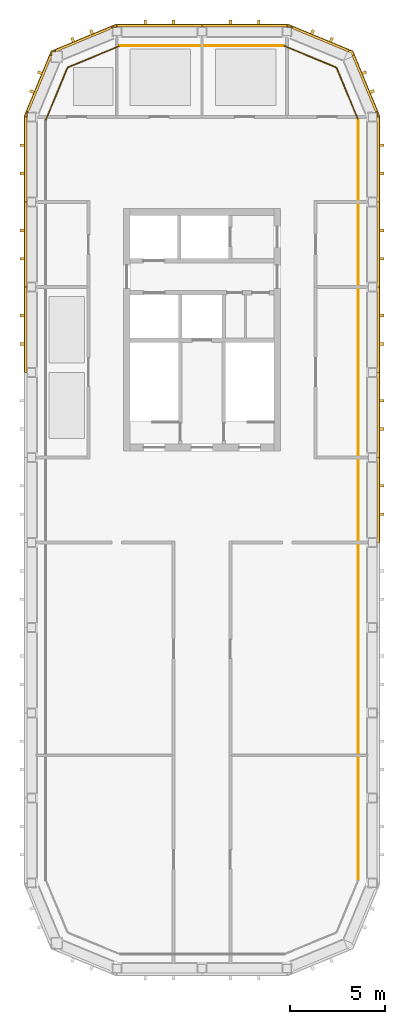
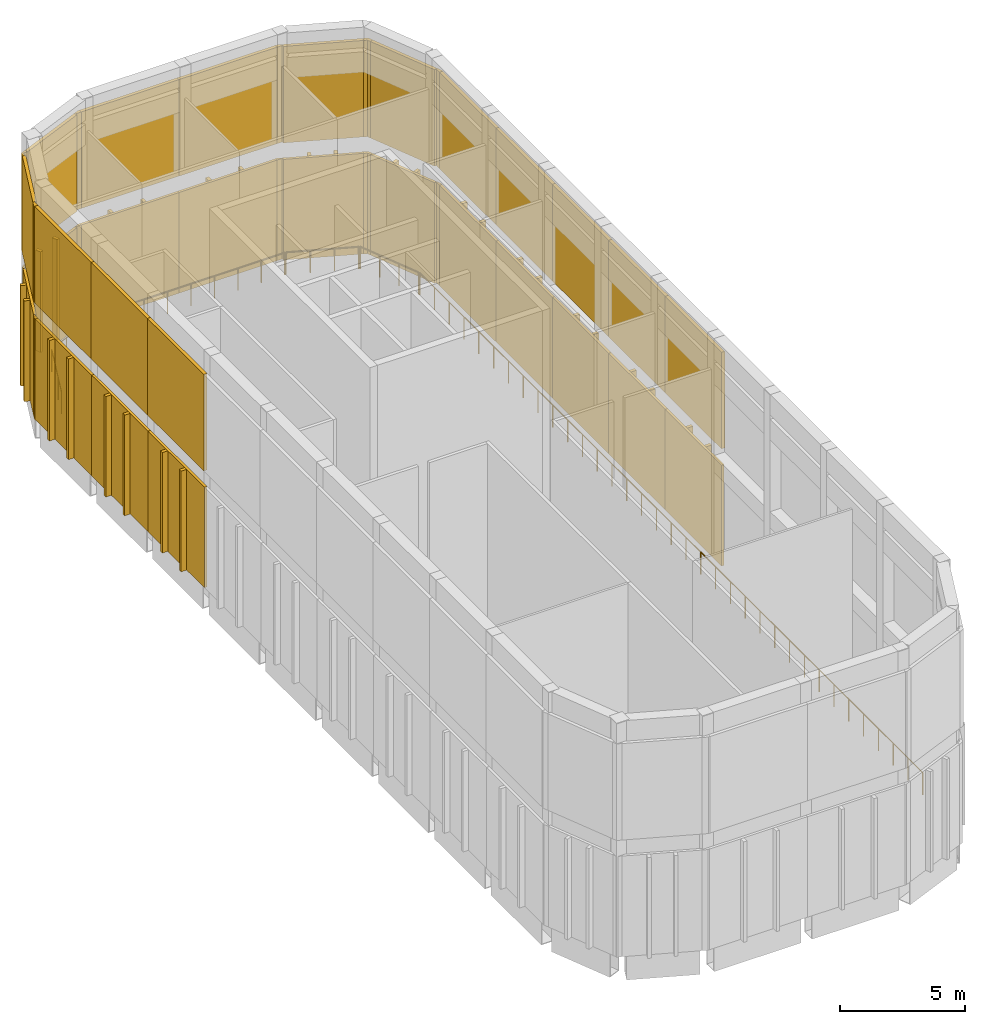
# One storey, part 6 of 7: 68 shading devices, 6 railings.
"""IFC4 building model written with IfcOpenShell, lengths in metres."""

from ifc_helpers import new_model, si_unit, direction, frame, origin, origin_2d, place, context, subcontext, project, spatial, polyline, rectangle, circle, outline, extrude, material, type_object, element, save


model = new_model("IFC4")

# Units and contexts
model_context = context("Model", 3, precision=1e-05, world=origin(), true_north=direction((0.0, 1.0)))
body_context = subcontext(model_context, "Body", "Model", "MODEL_VIEW")
ifc_project = project(units=[si_unit("LENGTHUNIT", "METRE"), si_unit("AREAUNIT", "SQUARE_METRE"), si_unit("VOLUMEUNIT", "CUBIC_METRE"), si_unit("PLANEANGLEUNIT", "RADIAN"), si_unit("MASSUNIT", "GRAM", prefix="KILO")], contexts=[model_context])

# Site, building, storey
site_placement = place(None, origin())
site = spatial("IfcSite", under=ifc_project, at=site_placement, CompositionType="ELEMENT")
building_placement = place(site_placement, origin())
building = spatial("IfcBuilding", under=site, at=building_placement, Name="Girih Gate Residences", CompositionType="ELEMENT")
storey_placement = place(building_placement, frame((0.0, 0.0, 247.094970703125)))
storey = spatial("IfcBuildingStorey", under=building, at=storey_placement, Name="L67", CompositionType="ELEMENT", Elevation=247.094970703125)

# Railings
ifc_material_1 = material(Name="Stainless steel railing", Category="steel")
railing_type = type_object("IfcRailingType", Name="Crown deck guard 1100", PredefinedType="GUARDRAIL", material=ifc_material_1)
railing_1_placement = place(storey_placement, frame((17.25, 44.850830078125, 0.0)))
element("IfcRailing", 1, at=railing_1_placement, inside=storey, type_object=railing_type, Name="Crown deck guard L67 1.1.1", PredefinedType="GUARDRAIL", context=body_context, shape_type="SweptSolid", body=[
    extrude(circle(Radius=0.02490234375, at=origin_2d()), frame((0.0, 0.0, 1.0751953125), z_axis=(0.0, -1.0, 0.0), x_axis=(1.0, 0.0, 0.0)), (0.0, 0.0, 1.0), 40.1416015625),
    extrude(circle(Radius=0.02490234375, at=origin_2d()), origin(), (0.0, 0.0, 1.0), 1.050048828125),
    extrude(circle(Radius=0.02490234375, at=origin_2d()), frame((0.0, -1.1806640625, 0.0)), (0.0, 0.0, 1.0), 1.050048828125),
    extrude(circle(Radius=0.02490234375, at=origin_2d()), frame((0.0, -2.361328125, 0.0)), (0.0, 0.0, 1.0), 1.050048828125),
    extrude(circle(Radius=0.02490234375, at=origin_2d()), frame((0.0, -3.5419921875, 0.0)), (0.0, 0.0, 1.0), 1.050048828125),
    extrude(circle(Radius=0.02490234375, at=origin_2d()), frame((0.0, -4.72265625, 0.0)), (0.0, 0.0, 1.0), 1.050048828125),
    extrude(circle(Radius=0.02490234375, at=origin_2d()), frame((0.0, -5.903076171875, 0.0)), (0.0, 0.0, 1.0), 1.050048828125),
    extrude(circle(Radius=0.02490234375, at=origin_2d()), frame((0.0, -7.083740234375, 0.0)), (0.0, 0.0, 1.0), 1.050048828125),
    extrude(circle(Radius=0.02490234375, at=origin_2d()), frame((0.0, -8.264404296875, 0.0)), (0.0, 0.0, 1.0), 1.050048828125),
    extrude(circle(Radius=0.02490234375, at=origin_2d()), frame((0.0, -9.445068359375, 0.0)), (0.0, 0.0, 1.0), 1.050048828125),
    extrude(circle(Radius=0.02490234375, at=origin_2d()), frame((0.0, -10.625732421875, 0.0)), (0.0, 0.0, 1.0), 1.050048828125),
    extrude(circle(Radius=0.02490234375, at=origin_2d()), frame((0.0, -11.806396484375, 0.0)), (0.0, 0.0, 1.0), 1.050048828125),
    extrude(circle(Radius=0.02490234375, at=origin_2d()), frame((0.0, -12.987060546875, 0.0)), (0.0, 0.0, 1.0), 1.050048828125),
    extrude(circle(Radius=0.02490234375, at=origin_2d()), frame((0.0, -14.167724609375, 0.0)), (0.0, 0.0, 1.0), 1.050048828125),
    extrude(circle(Radius=0.02490234375, at=origin_2d()), frame((0.0, -15.34814453125, 0.0)), (0.0, 0.0, 1.0), 1.050048828125),
    extrude(circle(Radius=0.02490234375, at=origin_2d()), frame((0.0, -16.52880859375, 0.0)), (0.0, 0.0, 1.0), 1.050048828125),
    extrude(circle(Radius=0.02490234375, at=origin_2d()), frame((0.0, -17.70947265625, 0.0)), (0.0, 0.0, 1.0), 1.050048828125),
    extrude(circle(Radius=0.02490234375, at=origin_2d()), frame((0.0, -18.89013671875, 0.0)), (0.0, 0.0, 1.0), 1.050048828125),
    extrude(circle(Radius=0.02490234375, at=origin_2d()), frame((0.0, -20.07080078125, 0.0)), (0.0, 0.0, 1.0), 1.050048828125),
    extrude(circle(Radius=0.02490234375, at=origin_2d()), frame((0.0, -21.25146484375, 0.0)), (0.0, 0.0, 1.0), 1.050048828125),
    extrude(circle(Radius=0.02490234375, at=origin_2d()), frame((0.0, -22.43212890625, 0.0)), (0.0, 0.0, 1.0), 1.050048828125),
    extrude(circle(Radius=0.02490234375, at=origin_2d()), frame((0.0, -23.61279296875, 0.0)), (0.0, 0.0, 1.0), 1.050048828125),
    extrude(circle(Radius=0.02490234375, at=origin_2d()), frame((0.0, -24.79345703125, 0.0)), (0.0, 0.0, 1.0), 1.050048828125),
    extrude(circle(Radius=0.02490234375, at=origin_2d()), frame((0.0, -25.973876953125, 0.0)), (0.0, 0.0, 1.0), 1.050048828125),
    extrude(circle(Radius=0.02490234375, at=origin_2d()), frame((0.0, -27.154541015625, 0.0)), (0.0, 0.0, 1.0), 1.050048828125),
    extrude(circle(Radius=0.02490234375, at=origin_2d()), frame((0.0, -28.335205078125, 0.0)), (0.0, 0.0, 1.0), 1.050048828125),
    extrude(circle(Radius=0.02490234375, at=origin_2d()), frame((0.0, -29.515869140625, 0.0)), (0.0, 0.0, 1.0), 1.050048828125),
    extrude(circle(Radius=0.02490234375, at=origin_2d()), frame((0.0, -30.696533203125, 0.0)), (0.0, 0.0, 1.0), 1.050048828125),
    extrude(circle(Radius=0.02490234375, at=origin_2d()), frame((0.0, -31.877197265625, 0.0)), (0.0, 0.0, 1.0), 1.050048828125),
    extrude(circle(Radius=0.02490234375, at=origin_2d()), frame((0.0, -33.057861328125, 0.0)), (0.0, 0.0, 1.0), 1.050048828125),
    extrude(circle(Radius=0.02490234375, at=origin_2d()), frame((0.0, -34.238525390625, 0.0)), (0.0, 0.0, 1.0), 1.050048828125),
    extrude(circle(Radius=0.02490234375, at=origin_2d()), frame((0.0, -35.4189453125, 0.0)), (0.0, 0.0, 1.0), 1.050048828125),
    extrude(circle(Radius=0.02490234375, at=origin_2d()), frame((0.0, -36.599609375, 0.0)), (0.0, 0.0, 1.0), 1.050048828125),
    extrude(circle(Radius=0.02490234375, at=origin_2d()), frame((0.0, -37.7802734375, 0.0)), (0.0, 0.0, 1.0), 1.050048828125),
    extrude(circle(Radius=0.02490234375, at=origin_2d()), frame((0.0, -38.9609375, 0.0)), (0.0, 0.0, 1.0), 1.050048828125),
    extrude(circle(Radius=0.02490234375, at=origin_2d()), frame((0.0, -40.1416015625, 0.0)), (0.0, 0.0, 1.0), 1.050048828125),
])
railing_2_placement = place(storey_placement, frame((0.75, 44.850830078125, 0.0)))
element("IfcRailing", 2, at=railing_2_placement, inside=storey, type_object=railing_type, Name="Crown deck guard L67 1.1.8", PredefinedType="GUARDRAIL", context=body_context, shape_type="SweptSolid", body=[
    extrude(circle(Radius=0.02490234375, at=origin_2d()), frame((0.0, 0.0, 1.0751953125), z_axis=(0.382705716862, 0.923870301656, 0.0), x_axis=(-0.923870301656, 0.382705716862, 0.0)), (0.0, 0.0, 1.0), 2.92431640625),
    extrude(circle(Radius=0.02490234375, at=origin_2d()), origin(), (0.0, 0.0, 1.0), 1.050048828125),
    extrude(circle(Radius=0.02490234375, at=origin_2d()), frame((0.373046875, 0.900634765625, 0.0)), (0.0, 0.0, 1.0), 1.050048828125),
    extrude(circle(Radius=0.02490234375, at=origin_2d()), frame((0.74609375, 1.801025390625, 0.0)), (0.0, 0.0, 1.0), 1.050048828125),
    extrude(circle(Radius=0.02490234375, at=origin_2d()), frame((1.119140625, 2.70166015625, 0.0)), (0.0, 0.0, 1.0), 1.050048828125),
])
railing_3_placement = place(storey_placement, frame((1.89208984375, 47.60791015625, 0.0)))
element("IfcRailing", 3, at=railing_3_placement, inside=storey, type_object=railing_type, Name="Crown deck guard L67 1.1.9", PredefinedType="GUARDRAIL", context=body_context, shape_type="SweptSolid", body=[
    extrude(circle(Radius=0.02490234375, at=origin_2d()), frame((0.0, 0.0, 1.0751953125), z_axis=(0.923870301656, 0.382705716862, 0.0), x_axis=(-0.382705716862, 0.923870301656, 0.0)), (0.0, 0.0, 1.0), 2.92431640625),
    extrude(circle(Radius=0.02490234375, at=origin_2d()), origin(), (0.0, 0.0, 1.0), 1.050048828125),
    extrude(circle(Radius=0.02490234375, at=origin_2d()), frame((0.900634765625, 0.373046875, 0.0)), (0.0, 0.0, 1.0), 1.050048828125),
    extrude(circle(Radius=0.02490234375, at=origin_2d()), frame((1.801025390625, 0.74609375, 0.0)), (0.0, 0.0, 1.0), 1.050048828125),
    extrude(circle(Radius=0.02490234375, at=origin_2d()), frame((2.70166015625, 1.119140625, 0.0)), (0.0, 0.0, 1.0), 1.050048828125),
])
railing_4_placement = place(storey_placement, frame((4.649169921875, 48.75, 0.0)))
element("IfcRailing", 4, at=railing_4_placement, inside=storey, type_object=railing_type, Name="Crown deck guard L67 1.1.10", PredefinedType="GUARDRAIL", context=body_context, shape_type="SweptSolid", body=[
    extrude(circle(Radius=0.02490234375, at=origin_2d()), frame((0.0, 0.0, 1.0751953125), z_axis=(1.0, 0.0, 0.0), x_axis=(0.0, 1.0, 0.0)), (0.0, 0.0, 1.0), 8.6416015625),
    extrude(circle(Radius=0.02490234375, at=origin_2d()), origin(), (0.0, 0.0, 1.0), 1.050048828125),
    extrude(circle(Radius=0.02490234375, at=origin_2d()), frame((1.080078125, 0.0, 0.0)), (0.0, 0.0, 1.0), 1.050048828125),
    extrude(circle(Radius=0.02490234375, at=origin_2d()), frame((2.160400390625, 0.0, 0.0)), (0.0, 0.0, 1.0), 1.050048828125),
    extrude(circle(Radius=0.02490234375, at=origin_2d()), frame((3.24072265625, 0.0, 0.0)), (0.0, 0.0, 1.0), 1.050048828125),
    extrude(circle(Radius=0.02490234375, at=origin_2d()), frame((4.32080078125, 0.0, 0.0)), (0.0, 0.0, 1.0), 1.050048828125),
    extrude(circle(Radius=0.02490234375, at=origin_2d()), frame((5.40087890625, 0.0, 0.0)), (0.0, 0.0, 1.0), 1.050048828125),
    extrude(circle(Radius=0.02490234375, at=origin_2d()), frame((6.481201171875, 0.0, 0.0)), (0.0, 0.0, 1.0), 1.050048828125),
    extrude(circle(Radius=0.02490234375, at=origin_2d()), frame((7.5615234375, 0.0, 0.0)), (0.0, 0.0, 1.0), 1.050048828125),
    extrude(circle(Radius=0.02490234375, at=origin_2d()), frame((8.6416015625, 0.0, 0.0)), (0.0, 0.0, 1.0), 1.050048828125),
])
railing_5_placement = place(storey_placement, frame((13.350830078125, 48.75, 0.0)))
element("IfcRailing", 5, at=railing_5_placement, inside=storey, type_object=railing_type, Name="Crown deck guard L67 1.1.11", PredefinedType="GUARDRAIL", context=body_context, shape_type="SweptSolid", body=[
    extrude(circle(Radius=0.02490234375, at=origin_2d()), frame((0.0, 0.0, 1.0751953125), z_axis=(0.923870301656, -0.382705716862, 0.0), x_axis=(0.382705716862, 0.923870301656, 0.0)), (0.0, 0.0, 1.0), 2.92431640625),
    extrude(circle(Radius=0.02490234375, at=origin_2d()), origin(), (0.0, 0.0, 1.0), 1.050048828125),
    extrude(circle(Radius=0.02490234375, at=origin_2d()), frame((0.900634765625, -0.373046875, 0.0)), (0.0, 0.0, 1.0), 1.050048828125),
    extrude(circle(Radius=0.02490234375, at=origin_2d()), frame((1.801025390625, -0.74609375, 0.0)), (0.0, 0.0, 1.0), 1.050048828125),
    extrude(circle(Radius=0.02490234375, at=origin_2d()), frame((2.70166015625, -1.119140625, 0.0)), (0.0, 0.0, 1.0), 1.050048828125),
])
railing_6_placement = place(storey_placement, frame((16.10791015625, 47.60791015625, 0.0)))
element("IfcRailing", 6, at=railing_6_placement, inside=storey, type_object=railing_type, Name="Crown deck guard L67 1.1.12", PredefinedType="GUARDRAIL", context=body_context, shape_type="SweptSolid", body=[
    extrude(circle(Radius=0.02490234375, at=origin_2d()), frame((0.0, 0.0, 1.0751953125), z_axis=(0.382705716862, -0.923870301656, 0.0), x_axis=(0.923870301656, 0.382705716862, 0.0)), (0.0, 0.0, 1.0), 2.92431640625),
    extrude(circle(Radius=0.02490234375, at=origin_2d()), origin(), (0.0, 0.0, 1.0), 1.050048828125),
    extrude(circle(Radius=0.02490234375, at=origin_2d()), frame((0.373046875, -0.900634765625, 0.0)), (0.0, 0.0, 1.0), 1.050048828125),
    extrude(circle(Radius=0.02490234375, at=origin_2d()), frame((0.74609375, -1.801025390625, 0.0)), (0.0, 0.0, 1.0), 1.050048828125),
    extrude(circle(Radius=0.02490234375, at=origin_2d()), frame((1.119140625, -2.70166015625, 0.0)), (0.0, 0.0, 1.0), 1.050048828125),
])

# Shading devices
ifc_material_2 = material(Name="Precast concrete C50/60", Category="concrete")
shading_device_type_1 = type_object("IfcShadingDeviceType", Name="Crown fluted rib 150x250", PredefinedType="USERDEFINED", material=ifc_material_2)
for number, where, z_axis, x_axis, name in (
    (7, (17.981689453125, 46.337646484375, 0.0), (0.0, 0.0, 1.0), (-0.382683432365, 0.923879532511, 0.0), "Crown rib 3.NE0180_0450.0.1"),
    (8, (17.570068359375, 47.33154296875, 0.0), (0.0, 0.0, 1.0), (-0.382683432365, 0.923879532511, 0.0), "Crown rib 3.NE0180_0450.0.2"),
    (9, (15.83154296875, 49.070068359375, 0.0), (0.0, 0.0, 1.0), (-0.923879532511, 0.382683432365, 0.0), "Crown rib 3.NE0167_0482.0.1"),
    (10, (14.837646484375, 49.481689453125, 0.0), (0.0, 0.0, 1.0), (-0.923879532511, 0.382683432365, 0.0), "Crown rib 3.NE0167_0482.0.2"),
    (11, (12.0, 49.9951171875, 0.0), (0.0, 0.0, 1.0), (-1.0, 0.0, 0.0), "Crown rib 3.N0135_0495.0.1"),
    (12, (10.5, 49.9951171875, 0.0), (0.0, 0.0, 1.0), (-1.0, 0.0, 0.0), "Crown rib 3.N0135_0495.0.2"),
    (13, (7.5, 49.9951171875, 0.0), (0.0, 0.0, 1.0), (-1.0, 0.0, 0.0), "Crown rib 3.N0135_0495.1.1"),
    (14, (6.0, 49.9951171875, 0.0), (0.0, 0.0, 1.0), (-1.0, 0.0, 0.0), "Crown rib 3.N0135_0495.1.2"),
    (15, (3.162353515625, 49.481689453125, 0.0), (0.0, 0.0, 1.0), (-0.923879532511, -0.382683432365, 0.0), "Crown rib 3.NW0045_0495.0.1"),
    (16, (2.16845703125, 49.070068359375, 0.0), (0.0, 0.0, 1.0), (-0.923879532511, -0.382683432365, 0.0), "Crown rib 3.NW0045_0495.0.2"),
    (17, (0.429931640625, 47.33154296875, 0.0), (0.0, 0.0, 1.0), (-0.382683432365, -0.923879532511, 0.0), "Crown rib 3.NW0013_0482.0.1"),
    (18, (0.018310546875, 46.337646484375, 0.0), (0.0, 0.0, 1.0), (-0.382683432365, -0.923879532511, 0.0), "Crown rib 3.NW0013_0482.0.2"),
    (19, (-0.4951171875, 43.5, 0.0), (0.0, 0.0, 1.0), (0.0, -1.0, 0.0), "Crown rib 3.W0000_0450.0.1"),
    (20, (-0.4951171875, 42.0, 0.0), (0.0, 0.0, 1.0), (0.0, -1.0, 0.0), "Crown rib 3.W0000_0450.0.2"),
    (21, (-0.4951171875, 39.0, 0.0), (0.0, 0.0, 1.0), (0.0, -1.0, 0.0), "Crown rib 3.W0000_0450.1.1"),
    (22, (-0.4951171875, 37.5, 0.0), (0.0, 0.0, 1.0), (0.0, -1.0, 0.0), "Crown rib 3.W0000_0450.1.2"),
    (23, (-0.4951171875, 34.5, 0.0), (0.0, 0.0, 1.0), (0.0, -1.0, 0.0), "Crown rib 3.W0000_0450.2.1"),
    (24, (-0.4951171875, 33.0, 0.0), (0.0, 0.0, 1.0), (0.0, -1.0, 0.0), "Crown rib 3.W0000_0450.2.2"),
    (25, (18.4951171875, 24.0, 0.0), (0.0, 0.0, 1.0), (0.0, 1.0, 0.0), "Crown rib 3.E0180_0045.4.1"),
    (26, (18.4951171875, 25.5, 0.0), (0.0, 0.0, 1.0), (0.0, 1.0, 0.0), "Crown rib 3.E0180_0045.4.2"),
    (27, (18.4951171875, 28.5, 0.0), (0.0, 0.0, 1.0), (0.0, 1.0, 0.0), "Crown rib 3.E0180_0045.5.1"),
    (28, (18.4951171875, 30.0, 0.0), (0.0, 0.0, 1.0), (0.0, 1.0, 0.0), "Crown rib 3.E0180_0045.5.2"),
    (29, (18.4951171875, 33.0, 0.0), (0.0, 0.0, 1.0), (0.0, 1.0, 0.0), "Crown rib 3.E0180_0045.6.1"),
    (30, (18.4951171875, 34.5, 0.0), (0.0, 0.0, 1.0), (0.0, 1.0, 0.0), "Crown rib 3.E0180_0045.6.2"),
    (31, (18.4951171875, 37.5, 0.0), (0.0, 0.0, 1.0), (0.0, 1.0, 0.0), "Crown rib 3.E0180_0045.7.1"),
    (32, (18.4951171875, 39.0, 0.0), (0.0, 0.0, 1.0), (0.0, 1.0, 0.0), "Crown rib 3.E0180_0045.7.2"),
    (33, (18.4951171875, 42.0, 0.0), (0.0, 0.0, 1.0), (0.0, 1.0, 0.0), "Crown rib 3.E0180_0045.8.1"),
    (34, (18.4951171875, 43.5, 0.0), (0.0, 0.0, 1.0), (0.0, 1.0, 0.0), "Crown rib 3.E0180_0045.8.2"),
):
    element("IfcShadingDevice", number, at=place(storey_placement, frame(where, z_axis=z_axis, x_axis=x_axis)), inside=storey, type_object=shading_device_type_1, Name=name, ObjectType="FIN", PredefinedType="USERDEFINED", context=body_context, shape_type="SweptSolid", body=[
        extrude(rectangle(XDim=0.14990234375, YDim=0.25, at=origin_2d()), origin(), (0.0, 0.0, 1.0), 4.89990234375),
    ])
ifc_material_3 = material(Name="Aluminium louvre", Category="aluminium")
shading_device_type_2 = type_object("IfcShadingDeviceType", Name="Crown louvre band 150", PredefinedType="USERDEFINED", material=ifc_material_3)
for number, where, z_axis, x_axis, name in (
    (35, (17.618896484375, 46.76953125, 5.7001953125), (0.0, 0.0, 1.0), (-0.382683432365, 0.923879532511, 0.0), "Crown louvre 4.NE0180_0450.0"),
    (36, (15.26953125, 49.118896484375, 5.7001953125), (0.0, 0.0, 1.0), (-0.923879532511, 0.382683432365, 0.0), "Crown louvre 4.NE0167_0482.0"),
):
    element("IfcShadingDevice", number, at=place(storey_placement, frame(where, z_axis=z_axis, x_axis=x_axis)), inside=storey, type_object=shading_device_type_2, Name=name, ObjectType="LOUVRE", PredefinedType="USERDEFINED", context=body_context, shape_type="SweptSolid", body=[
        extrude(rectangle(XDim=3.227294921875, YDim=0.14990234375, at=origin_2d()), origin(), (0.0, 0.0, 1.0), 4.699951171875),
    ])
for number, where, z_axis, x_axis, name in (
    (37, (11.25, 49.824951171875, 5.7001953125), (0.0, 0.0, 1.0), (-1.0, 0.0, 0.0), "Crown louvre 4.N0135_0495.0"),
    (38, (6.75, 49.824951171875, 5.7001953125), (0.0, 0.0, 1.0), (-1.0, 0.0, 0.0), "Crown louvre 4.N0135_0495.1"),
):
    element("IfcShadingDevice", number, at=place(storey_placement, frame(where, z_axis=z_axis, x_axis=x_axis)), inside=storey, type_object=shading_device_type_2, Name=name, ObjectType="LOUVRE", PredefinedType="USERDEFINED", context=body_context, shape_type="SweptSolid", body=[
        extrude(rectangle(XDim=4.5, YDim=0.14990234375, at=origin_2d()), origin(), (0.0, 0.0, 1.0), 4.699951171875),
    ])
for number, where, z_axis, x_axis, name in (
    (39, (2.73046875, 49.118896484375, 5.7001953125), (0.0, 0.0, 1.0), (-0.923879532511, -0.382683432365, 0.0), "Crown louvre 4.NW0045_0495.0"),
    (40, (0.381103515625, 46.76953125, 5.7001953125), (0.0, 0.0, 1.0), (-0.382683432365, -0.923879532511, 0.0), "Crown louvre 4.NW0013_0482.0"),
):
    element("IfcShadingDevice", number, at=place(storey_placement, frame(where, z_axis=z_axis, x_axis=x_axis)), inside=storey, type_object=shading_device_type_2, Name=name, ObjectType="LOUVRE", PredefinedType="USERDEFINED", context=body_context, shape_type="SweptSolid", body=[
        extrude(rectangle(XDim=3.227294921875, YDim=0.14990234375, at=origin_2d()), origin(), (0.0, 0.0, 1.0), 4.699951171875),
    ])
for number, where, z_axis, x_axis, name in (
    (41, (-0.324951171875, 42.75, 5.7001953125), (0.0, 0.0, 1.0), (0.0, -1.0, 0.0), "Crown louvre 4.W0000_0450.0"),
    (42, (-0.324951171875, 38.25, 5.7001953125), (0.0, 0.0, 1.0), (0.0, -1.0, 0.0), "Crown louvre 4.W0000_0450.1"),
    (43, (-0.324951171875, 33.75, 5.7001953125), (0.0, 0.0, 1.0), (0.0, -1.0, 0.0), "Crown louvre 4.W0000_0450.2"),
    (44, (18.324951171875, 24.75, 5.7001953125), (0.0, 0.0, 1.0), (0.0, 1.0, 0.0), "Crown louvre 4.E0180_0045.4"),
    (45, (18.324951171875, 29.25, 5.7001953125), (0.0, 0.0, 1.0), (0.0, 1.0, 0.0), "Crown louvre 4.E0180_0045.5"),
    (46, (18.324951171875, 33.75, 5.7001953125), (0.0, 0.0, 1.0), (0.0, 1.0, 0.0), "Crown louvre 4.E0180_0045.6"),
    (47, (18.324951171875, 38.25, 5.7001953125), (0.0, 0.0, 1.0), (0.0, 1.0, 0.0), "Crown louvre 4.E0180_0045.7"),
    (48, (18.324951171875, 42.75, 5.7001953125), (0.0, 0.0, 1.0), (0.0, 1.0, 0.0), "Crown louvre 4.E0180_0045.8"),
):
    element("IfcShadingDevice", number, at=place(storey_placement, frame(where, z_axis=z_axis, x_axis=x_axis)), inside=storey, type_object=shading_device_type_2, Name=name, ObjectType="LOUVRE", PredefinedType="USERDEFINED", context=body_context, shape_type="SweptSolid", body=[
        extrude(rectangle(XDim=4.5, YDim=0.14990234375, at=origin_2d()), origin(), (0.0, 0.0, 1.0), 4.699951171875),
    ])
shading_device_1_placement = place(storey_placement, frame((0.0, 0.0, 5.699951171875)))
element("IfcShadingDevice", 49, at=shading_device_1_placement, inside=storey, type_object=shading_device_type_2, Name="Crown louvre corner 4.NE0180_0450.0", ObjectType="LOUVRE", PredefinedType="USERDEFINED", context=body_context, shape_type="SweptSolid", body=[
    extrude(outline(polyline([(16.988037109375, 48.488037109375), (17.070556640625, 48.2890625), (16.931884765625, 48.231689453125), (16.873291015625, 48.373291015625), (16.731689453125, 48.431884765625), (16.7890625, 48.570556640625), (16.988037109375, 48.488037109375)])), origin(), (0.0, 0.0, 1.0), 4.7001953125),
])
shading_device_2_placement = place(storey_placement, frame((0.0, 0.0, 5.699951171875)))
element("IfcShadingDevice", 50, at=shading_device_2_placement, inside=storey, type_object=shading_device_type_2, Name="Crown louvre corner 4.NE0167_0482.0", ObjectType="LOUVRE", PredefinedType="USERDEFINED", context=body_context, shape_type="SweptSolid", body=[
    extrude(outline(polyline([(13.57958984375, 49.89990234375), (13.807373046875, 49.8056640625), (13.75, 49.6669921875), (13.75, 49.75), (13.5, 49.75), (13.5, 49.89990234375), (13.57958984375, 49.89990234375)])), origin(), (0.0, 0.0, 1.0), 4.7001953125),
])
shading_device_3_placement = place(storey_placement, frame((0.0, 0.0, 5.699951171875)))
element("IfcShadingDevice", 51, at=shading_device_3_placement, inside=storey, type_object=shading_device_type_2, Name="Crown louvre corner 4.N0135_0495.1", ObjectType="LOUVRE", PredefinedType="USERDEFINED", context=body_context, shape_type="SweptSolid", body=[
    extrude(outline(polyline([(4.42041015625, 49.89990234375), (4.5, 49.89990234375), (4.5, 49.75), (4.25, 49.75), (4.25, 49.667236328125), (4.192626953125, 49.8056640625), (4.42041015625, 49.89990234375)])), origin(), (0.0, 0.0, 1.0), 4.7001953125),
])
shading_device_4_placement = place(storey_placement, frame((0.0, 0.0, 5.699951171875)))
element("IfcShadingDevice", 52, at=shading_device_4_placement, inside=storey, type_object=shading_device_type_2, Name="Crown louvre corner 4.NW0045_0495.0", ObjectType="LOUVRE", PredefinedType="USERDEFINED", context=body_context, shape_type="SweptSolid", body=[
    extrude(outline(polyline([(1.011962890625, 48.488037109375), (1.2109375, 48.570556640625), (1.268310546875, 48.431884765625), (1.068115234375, 48.431884765625), (1.068115234375, 48.231689453125), (0.929443359375, 48.2890625), (1.011962890625, 48.488037109375)])), origin(), (0.0, 0.0, 1.0), 4.7001953125),
])
shading_device_5_placement = place(storey_placement, frame((0.0, 0.0, 5.699951171875)))
element("IfcShadingDevice", 53, at=shading_device_5_placement, inside=storey, type_object=shading_device_type_2, Name="Crown louvre corner 4.NW0013_0482.0", ObjectType="LOUVRE", PredefinedType="USERDEFINED", context=body_context, shape_type="SweptSolid", body=[
    extrude(outline(polyline([(-0.39990234375, 45.07958984375), (-0.3056640625, 45.307373046875), (-0.1669921875, 45.25), (-0.25, 45.25), (-0.25, 45.0), (-0.39990234375, 45.0), (-0.39990234375, 45.07958984375)])), origin(), (0.0, 0.0, 1.0), 4.7001953125),
])
shading_device_6_placement = place(storey_placement, frame((0.0, 0.0, 5.699951171875)))
element("IfcShadingDevice", 54, at=shading_device_6_placement, inside=storey, type_object=shading_device_type_2, Name="Crown louvre corner 4.E0180_0045.8", ObjectType="LOUVRE", PredefinedType="USERDEFINED", context=body_context, shape_type="SweptSolid", body=[
    extrude(outline(polyline([(18.39990234375, 45.07958984375), (18.39990234375, 45.0), (18.25, 45.0), (18.25, 45.25), (18.167236328125, 45.25), (18.3056640625, 45.307373046875), (18.39990234375, 45.07958984375)])), origin(), (0.0, 0.0, 1.0), 4.7001953125),
])
ifc_material_4 = material(Name="Turquoise glazed tile panjara screen")
shading_device_type_3 = type_object("IfcShadingDeviceType", Name="Crown tile screen 120", PredefinedType="USERDEFINED", material=ifc_material_4)
for number, where, z_axis, x_axis, name in (
    (55, (17.60498046875, 46.763671875, 0.0), (0.0, 0.0, 1.0), (-0.382683432365, 0.923879532511, 0.0), "Crown screen 3.NE0180_0450.0"),
    (56, (15.263916015625, 49.10498046875, 0.0), (0.0, 0.0, 1.0), (-0.923879532511, 0.382683432365, 0.0), "Crown screen 3.NE0167_0482.0"),
):
    element("IfcShadingDevice", number, at=place(storey_placement, frame(where, z_axis=z_axis, x_axis=x_axis)), inside=storey, type_object=shading_device_type_3, Name=name, ObjectType="SCREEN", PredefinedType="USERDEFINED", context=body_context, shape_type="SweptSolid", body=[
        extrude(rectangle(XDim=3.227294921875, YDim=0.1201171875, at=origin_2d()), origin(), (0.0, 0.0, 1.0), 4.89990234375),
    ])
for number, where, z_axis, x_axis, name in (
    (57, (11.25, 49.81005859375, 0.0), (0.0, 0.0, 1.0), (-1.0, 0.0, 0.0), "Crown screen 3.N0135_0495.0"),
    (58, (6.75, 49.81005859375, 0.0), (0.0, 0.0, 1.0), (-1.0, 0.0, 0.0), "Crown screen 3.N0135_0495.1"),
):
    element("IfcShadingDevice", number, at=place(storey_placement, frame(where, z_axis=z_axis, x_axis=x_axis)), inside=storey, type_object=shading_device_type_3, Name=name, ObjectType="SCREEN", PredefinedType="USERDEFINED", context=body_context, shape_type="SweptSolid", body=[
        extrude(rectangle(XDim=4.5, YDim=0.1201171875, at=origin_2d()), origin(), (0.0, 0.0, 1.0), 4.89990234375),
    ])
for number, where, z_axis, x_axis, name in (
    (59, (2.736328125, 49.10498046875, 0.0), (0.0, 0.0, 1.0), (-0.923879532511, -0.382683432365, 0.0), "Crown screen 3.NW0045_0495.0"),
    (60, (0.39501953125, 46.763916015625, 0.0), (0.0, 0.0, 1.0), (-0.382683432365, -0.923879532511, 0.0), "Crown screen 3.NW0013_0482.0"),
):
    element("IfcShadingDevice", number, at=place(storey_placement, frame(where, z_axis=z_axis, x_axis=x_axis)), inside=storey, type_object=shading_device_type_3, Name=name, ObjectType="SCREEN", PredefinedType="USERDEFINED", context=body_context, shape_type="SweptSolid", body=[
        extrude(rectangle(XDim=3.227294921875, YDim=0.1201171875, at=origin_2d()), origin(), (0.0, 0.0, 1.0), 4.89990234375),
    ])
for number, where, z_axis, x_axis, name in (
    (61, (-0.31005859375, 42.75, 0.0), (0.0, 0.0, 1.0), (0.0, -1.0, 0.0), "Crown screen 3.W0000_0450.0"),
    (62, (-0.31005859375, 38.25, 0.0), (0.0, 0.0, 1.0), (0.0, -1.0, 0.0), "Crown screen 3.W0000_0450.1"),
    (63, (-0.31005859375, 33.75, 0.0), (0.0, 0.0, 1.0), (0.0, -1.0, 0.0), "Crown screen 3.W0000_0450.2"),
    (64, (18.31005859375, 24.75, 0.0), (0.0, 0.0, 1.0), (0.0, 1.0, 0.0), "Crown screen 3.E0180_0045.4"),
    (65, (18.31005859375, 29.25, 0.0), (0.0, 0.0, 1.0), (0.0, 1.0, 0.0), "Crown screen 3.E0180_0045.5"),
    (66, (18.31005859375, 33.75, 0.0), (0.0, 0.0, 1.0), (0.0, 1.0, 0.0), "Crown screen 3.E0180_0045.6"),
    (67, (18.31005859375, 38.25, 0.0), (0.0, 0.0, 1.0), (0.0, 1.0, 0.0), "Crown screen 3.E0180_0045.7"),
    (68, (18.31005859375, 42.75, 0.0), (0.0, 0.0, 1.0), (0.0, 1.0, 0.0), "Crown screen 3.E0180_0045.8"),
):
    element("IfcShadingDevice", number, at=place(storey_placement, frame(where, z_axis=z_axis, x_axis=x_axis)), inside=storey, type_object=shading_device_type_3, Name=name, ObjectType="SCREEN", PredefinedType="USERDEFINED", context=body_context, shape_type="SweptSolid", body=[
        extrude(rectangle(XDim=4.5, YDim=0.1201171875, at=origin_2d()), origin(), (0.0, 0.0, 1.0), 4.89990234375),
    ])
shading_device_7_placement = place(storey_placement, origin())
element("IfcShadingDevice", 69, at=shading_device_7_placement, inside=storey, type_object=shading_device_type_3, Name="Crown screen corner 3.NE0180_0450.0", ObjectType="SCREEN", PredefinedType="USERDEFINED", context=body_context, shape_type="SweptSolid", body=[
    extrude(outline(polyline([(16.965087890625, 48.465087890625), (17.04296875, 48.277587890625), (16.931884765625, 48.231689453125), (16.873291015625, 48.373291015625), (16.731689453125, 48.431884765625), (16.777587890625, 48.542724609375), (16.965087890625, 48.465087890625)])), origin(), (0.0, 0.0, 1.0), 4.900146484375),
])
shading_device_8_placement = place(storey_placement, origin())
element("IfcShadingDevice", 70, at=shading_device_8_placement, inside=storey, type_object=shading_device_type_3, Name="Crown screen corner 3.NE0167_0482.0", ObjectType="SCREEN", PredefinedType="USERDEFINED", context=body_context, shape_type="SweptSolid", body=[
    extrude(outline(polyline([(13.573486328125, 49.8701171875), (13.7958984375, 49.77783203125), (13.75, 49.6669921875), (13.75, 49.75), (13.5, 49.75), (13.5, 49.8701171875), (13.573486328125, 49.8701171875)])), origin(), (0.0, 0.0, 1.0), 4.900146484375),
])
shading_device_9_placement = place(storey_placement, origin())
element("IfcShadingDevice", 71, at=shading_device_9_placement, inside=storey, type_object=shading_device_type_3, Name="Crown screen corner 3.N0135_0495.1", ObjectType="SCREEN", PredefinedType="USERDEFINED", context=body_context, shape_type="SweptSolid", body=[
    extrude(outline(polyline([(4.426513671875, 49.8701171875), (4.5, 49.8701171875), (4.5, 49.75), (4.25, 49.75), (4.25, 49.667236328125), (4.2041015625, 49.77783203125), (4.426513671875, 49.8701171875)])), origin(), (0.0, 0.0, 1.0), 4.900146484375),
])
shading_device_10_placement = place(storey_placement, origin())
element("IfcShadingDevice", 72, at=shading_device_10_placement, inside=storey, type_object=shading_device_type_3, Name="Crown screen corner 3.NW0045_0495.0", ObjectType="SCREEN", PredefinedType="USERDEFINED", context=body_context, shape_type="SweptSolid", body=[
    extrude(outline(polyline([(1.034912109375, 48.465087890625), (1.222412109375, 48.54296875), (1.268310546875, 48.431884765625), (1.068115234375, 48.431884765625), (1.068115234375, 48.231689453125), (0.957275390625, 48.277587890625), (1.034912109375, 48.465087890625)])), origin(), (0.0, 0.0, 1.0), 4.900146484375),
])
shading_device_11_placement = place(storey_placement, origin())
element("IfcShadingDevice", 73, at=shading_device_11_placement, inside=storey, type_object=shading_device_type_3, Name="Crown screen corner 3.NW0013_0482.0", ObjectType="SCREEN", PredefinedType="USERDEFINED", context=body_context, shape_type="SweptSolid", body=[
    extrude(outline(polyline([(-0.3701171875, 45.073486328125), (-0.27783203125, 45.2958984375), (-0.1669921875, 45.25), (-0.25, 45.25), (-0.25, 45.0), (-0.3701171875, 45.0), (-0.3701171875, 45.073486328125)])), origin(), (0.0, 0.0, 1.0), 4.900146484375),
])
shading_device_12_placement = place(storey_placement, origin())
element("IfcShadingDevice", 74, at=shading_device_12_placement, inside=storey, type_object=shading_device_type_3, Name="Crown screen corner 3.E0180_0045.8", ObjectType="SCREEN", PredefinedType="USERDEFINED", context=body_context, shape_type="SweptSolid", body=[
    extrude(outline(polyline([(18.3701171875, 45.073486328125), (18.3701171875, 45.0), (18.25, 45.0), (18.25, 45.25), (18.167236328125, 45.25), (18.27783203125, 45.2958984375), (18.3701171875, 45.073486328125)])), origin(), (0.0, 0.0, 1.0), 4.900146484375),
])

save(model, "model.ifc")
